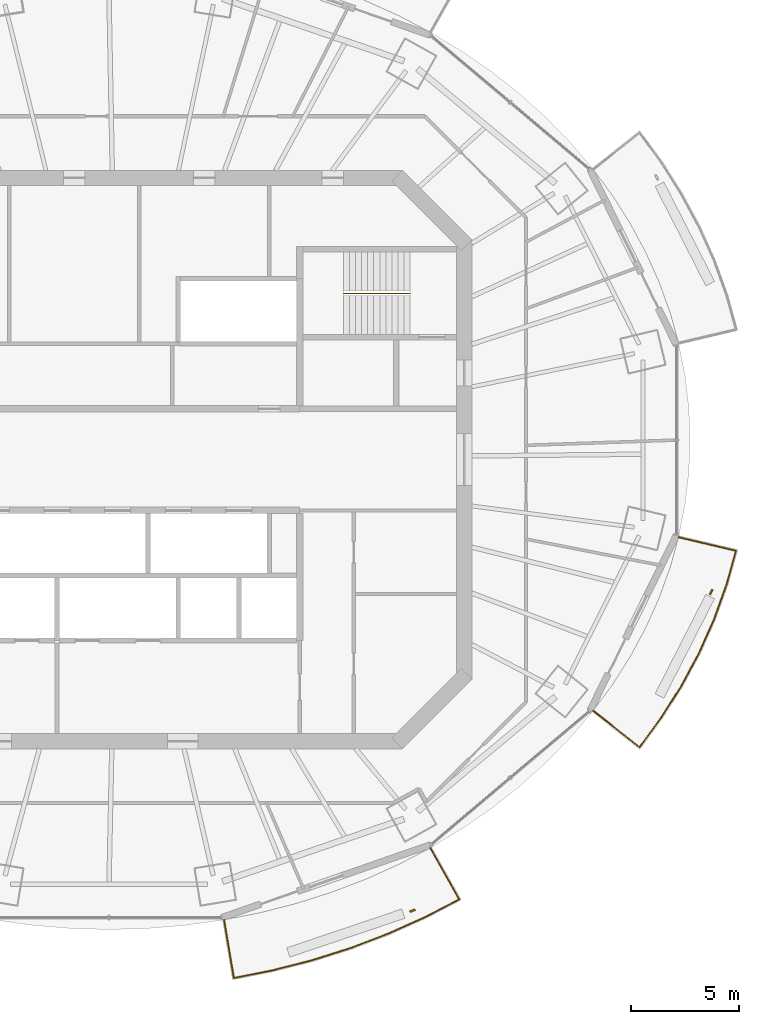
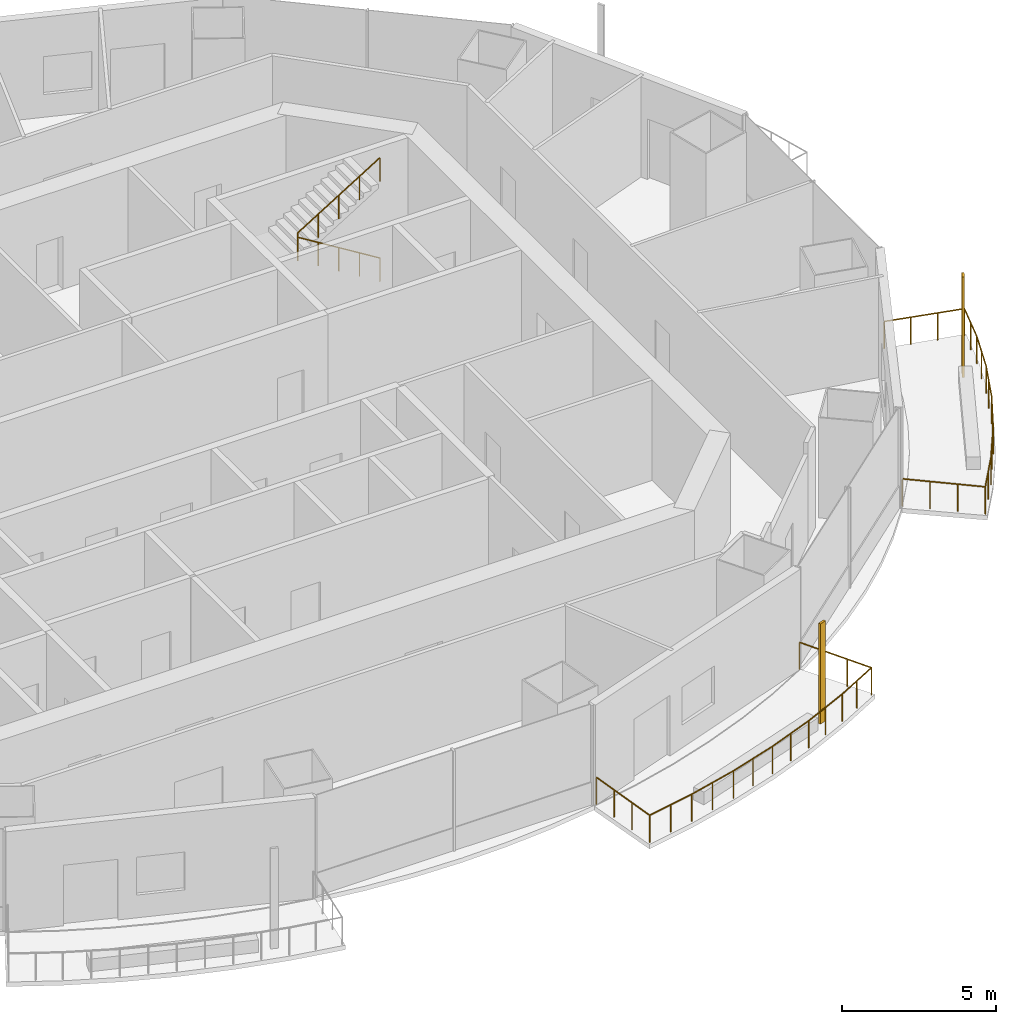
# One storey, part 13 of 16: 3 railings, 2 shading devices.
"""IFC4 building model written with IfcOpenShell, lengths in metres."""

from ifc_helpers import new_model, si_unit, direction, frame, origin, origin_2d, place, context, subcontext, project, spatial, rectangle, circle, extrude, material, material_profile, profile_set, type_object, element, save


model = new_model("IFC4")

# Units and contexts
model_context = context("Model", 3, precision=1e-05, world=origin(), true_north=direction((0.0, 1.0)))
body_context = subcontext(model_context, "Body", "Model", "MODEL_VIEW")
ifc_project = project(units=[si_unit("LENGTHUNIT", "METRE"), si_unit("AREAUNIT", "SQUARE_METRE"), si_unit("VOLUMEUNIT", "CUBIC_METRE"), si_unit("PLANEANGLEUNIT", "RADIAN"), si_unit("MASSUNIT", "GRAM", prefix="KILO")], contexts=[model_context])

# Site, building, storey
site_placement = place(None, origin())
site = spatial("IfcSite", under=ifc_project, at=site_placement, CompositionType="ELEMENT")
building_placement = place(site_placement, origin())
building = spatial("IfcBuilding", under=site, at=building_placement, Name="Marenthal Gate Tower", CompositionType="ELEMENT")
storey_placement = place(building_placement, frame((0.0, 0.0, 355.050048828125)))
storey = spatial("IfcBuildingStorey", under=building, at=storey_placement, Name="L80", CompositionType="ELEMENT", Elevation=355.050048828125)

# Railings
ifc_material_1 = material(Name="Stainless steel", Category="steel")
railing_type_1 = type_object("IfcRailingType", Name="Balcony guard 1100", PredefinedType="GUARDRAIL", material=ifc_material_1)
railing_1_placement = place(storey_placement, frame((14.4345703125, -17.92724609375, 0.0)))
element("IfcRailing", 1, at=railing_1_placement, inside=storey, type_object=railing_type_1, Name="Balcony guard L80 bay 13", PredefinedType="GUARDRAIL", context=body_context, shape_type="SweptSolid", body=[
    extrude(circle(Radius=0.02392578125, at=origin_2d()), frame((0.0, 0.0, 1.076171875), z_axis=(0.490779039991, -0.871159722412, -0.014719781009), x_axis=(0.871254115691, 0.490832217659, 0.0)), (0.0, 0.0, 1.0), 2.719970703125),
    extrude(circle(Radius=0.02392578125, at=origin_2d()), frame((1.3349609375, -2.36962890625, 1.0361328125), z_axis=(-0.886466510694, -0.462792745642, 0.0), x_axis=(0.462792745642, -0.886466510694, 0.0)), (0.0, 0.0, 1.0), 1.76611328125),
    extrude(circle(Radius=0.02392578125, at=origin_2d()), frame((-0.230712890625, -3.18701171875, 1.0361328125), z_axis=(-0.911823143893, -0.410583187992, 0.0), x_axis=(0.410583187992, -0.911823143893, 0.0)), (0.0, 0.0, 1.0), 1.858154296875),
    extrude(circle(Radius=0.02392578125, at=origin_2d()), frame((-1.925048828125, -3.949951171875, 1.0361328125), z_axis=(-0.934241329818, -0.35664146935, 0.0), x_axis=(0.35664146935, -0.934241329818, 0.0)), (0.0, 0.0, 1.0), 1.86962890625),
    extrude(circle(Radius=0.02392578125, at=origin_2d()), frame((-3.671630859375, -4.61669921875, 1.0361328125), z_axis=(-0.953244331297, -0.302200669837, 0.0), x_axis=(0.302200669837, -0.953244331297, 0.0)), (0.0, 0.0, 1.0), 1.879150390625),
    extrude(circle(Radius=0.02392578125, at=origin_2d()), frame((-5.462890625, -5.1845703125, 1.0361328125), z_axis=(-0.968851065423, -0.247644125772, 0.0), x_axis=(0.247644125772, -0.968851065423, 0.0)), (0.0, 0.0, 1.0), 1.887939453125),
    extrude(circle(Radius=0.02392578125, at=origin_2d()), frame((-7.2919921875, -5.652099609375, 1.0361328125), z_axis=(-0.98102320938, -0.193890336678, 0.0), x_axis=(0.193890336678, -0.98102320938, 0.0)), (0.0, 0.0, 1.0), 1.814453125),
    extrude(circle(Radius=0.02392578125, at=origin_2d()), frame((-9.072021484375, -6.00390625, 1.0361328125), z_axis=(-0.165399817941, 0.986116765891, 0.014718160685), x_axis=(-0.986223591651, -0.165417735658, 0.0)), (0.0, 0.0, 1.0), 2.720458984375),
    extrude(circle(Radius=0.02099609375, at=origin_2d()), origin(), (0.0, 0.0, 1.0), 1.052001953125),
    extrude(circle(Radius=0.02099609375, at=origin_2d()), frame((0.445068359375, -0.789794921875, -0.013427734375)), (0.0, 0.0, 1.0), 1.052001953125),
    extrude(circle(Radius=0.02099609375, at=origin_2d()), frame((0.889892578125, -1.579833984375, -0.026611328125)), (0.0, 0.0, 1.0), 1.052001953125),
    extrude(circle(Radius=0.02099609375, at=origin_2d()), frame((1.3349609375, -2.36962890625, -0.0400390625)), (0.0, 0.0, 1.0), 1.052001953125),
    extrude(circle(Radius=0.02099609375, at=origin_2d()), frame((0.55224609375, -2.7783203125, -0.0400390625)), (0.0, 0.0, 1.0), 1.052001953125),
    extrude(circle(Radius=0.02099609375, at=origin_2d()), frame((-0.230712890625, -3.18701171875, -0.0400390625)), (0.0, 0.0, 1.0), 1.052001953125),
    extrude(circle(Radius=0.02099609375, at=origin_2d()), frame((-1.077880859375, -3.568359375, -0.0400390625)), (0.0, 0.0, 1.0), 1.052001953125),
    extrude(circle(Radius=0.02099609375, at=origin_2d()), frame((-1.925048828125, -3.949951171875, -0.0400390625)), (0.0, 0.0, 1.0), 1.052001953125),
    extrude(circle(Radius=0.02099609375, at=origin_2d()), frame((-2.79833984375, -4.283203125, -0.0400390625)), (0.0, 0.0, 1.0), 1.052001953125),
    extrude(circle(Radius=0.02099609375, at=origin_2d()), frame((-3.671630859375, -4.61669921875, -0.0400390625)), (0.0, 0.0, 1.0), 1.052001953125),
    extrude(circle(Radius=0.02099609375, at=origin_2d()), frame((-4.5673828125, -4.900634765625, -0.0400390625)), (0.0, 0.0, 1.0), 1.052001953125),
    extrude(circle(Radius=0.02099609375, at=origin_2d()), frame((-5.462890625, -5.1845703125, -0.0400390625)), (0.0, 0.0, 1.0), 1.052001953125),
    extrude(circle(Radius=0.02099609375, at=origin_2d()), frame((-6.37744140625, -5.41845703125, -0.0400390625)), (0.0, 0.0, 1.0), 1.052001953125),
    extrude(circle(Radius=0.02099609375, at=origin_2d()), frame((-7.2919921875, -5.652099609375, -0.0400390625)), (0.0, 0.0, 1.0), 1.052001953125),
    extrude(circle(Radius=0.02099609375, at=origin_2d()), frame((-8.18212890625, -5.828125, -0.0400390625)), (0.0, 0.0, 1.0), 1.052001953125),
    extrude(circle(Radius=0.02099609375, at=origin_2d()), frame((-9.072021484375, -6.00390625, -0.0400390625)), (0.0, 0.0, 1.0), 1.052001953125),
    extrude(circle(Radius=0.02099609375, at=origin_2d()), frame((-9.221923828125, -5.109619140625, -0.026611328125)), (0.0, 0.0, 1.0), 1.052001953125),
    extrude(circle(Radius=0.02099609375, at=origin_2d()), frame((-9.3720703125, -4.215576171875, -0.013427734375)), (0.0, 0.0, 1.0), 1.052001953125),
    extrude(circle(Radius=0.02099609375, at=origin_2d()), frame((-9.52197265625, -3.3212890625, 0.0)), (0.0, 0.0, 1.0), 1.052001953125),
])
railing_2_placement = place(storey_placement, frame((25.89306640625, -3.586181640625, 0.0)))
element("IfcRailing", 2, at=railing_2_placement, inside=storey, type_object=railing_type_1, Name="Balcony guard L80 bay 15", PredefinedType="GUARDRAIL", context=body_context, shape_type="SweptSolid", body=[
    extrude(circle(Radius=0.02392578125, at=origin_2d()), frame((0.0, 0.0, 1.076171875), z_axis=(0.973182110168, -0.229564721303, -0.014717988387), x_axis=(0.229589589404, 0.973287532252, 0.0)), (0.0, 0.0, 1.0), 2.720458984375),
    extrude(circle(Radius=0.02392578125, at=origin_2d()), frame((2.6474609375, -0.62451171875, 1.0361328125), z_axis=(-0.268568220157, -0.963260666238, 0.0), x_axis=(0.963260666238, -0.268568220157, 0.0)), (0.0, 0.0, 1.0), 1.620849609375),
    extrude(circle(Radius=0.02392578125, at=origin_2d()), frame((2.212158203125, -2.185791015625, 1.0361328125), z_axis=(-0.338780209169, -0.940865542931, 0.0), x_axis=(0.940865542931, -0.338780209169, 0.0)), (0.0, 0.0, 1.0), 1.7080078125),
    extrude(circle(Radius=0.02392578125, at=origin_2d()), frame((1.633544921875, -3.792724609375, 1.0361328125), z_axis=(-0.40799807197, -0.912982789142, 0.0), x_axis=(0.912982789142, -0.40799807197, 0.0)), (0.0, 0.0, 1.0), 1.716796875),
    extrude(circle(Radius=0.02392578125, at=origin_2d()), frame((0.93310546875, -5.360107421875, 1.0361328125), z_axis=(-0.473593920811, -0.880743321389, 0.0), x_axis=(0.880743321389, -0.473593920811, 0.0)), (0.0, 0.0, 1.0), 1.72705078125),
    extrude(circle(Radius=0.02392578125, at=origin_2d()), frame((0.115234375, -6.881103515625, 1.0361328125), z_axis=(-0.535757035565, -0.84437219213, 0.0), x_axis=(0.84437219213, -0.535757035565, 0.0)), (0.0, 0.0, 1.0), 1.738037109375),
    extrude(circle(Radius=0.02392578125, at=origin_2d()), frame((-0.81591796875, -8.3486328125, 1.0361328125), z_axis=(-0.592560650715, -0.805525837714, 0.0), x_axis=(0.805525837714, -0.592560650715, 0.0)), (0.0, 0.0, 1.0), 1.670166015625),
    extrude(circle(Radius=0.02392578125, at=origin_2d()), frame((-1.8056640625, -9.694091796875, 1.0361328125), z_axis=(-0.783691471993, 0.620975869757, 0.014718896176), x_axis=(-0.621043146628, -0.783776377563, 0.0)), (0.0, 0.0, 1.0), 2.72021484375),
    extrude(circle(Radius=0.02099609375, at=origin_2d()), origin(), (0.0, 0.0, 1.0), 1.052001953125),
    extrude(circle(Radius=0.02099609375, at=origin_2d()), frame((0.882568359375, -0.208251953125, -0.013427734375)), (0.0, 0.0, 1.0), 1.052001953125),
    extrude(circle(Radius=0.02099609375, at=origin_2d()), frame((1.764892578125, -0.416259765625, -0.026611328125)), (0.0, 0.0, 1.0), 1.052001953125),
    extrude(circle(Radius=0.02099609375, at=origin_2d()), frame((2.6474609375, -0.62451171875, -0.0400390625)), (0.0, 0.0, 1.0), 1.052001953125),
    extrude(circle(Radius=0.02099609375, at=origin_2d()), frame((2.4296875, -1.4052734375, -0.0400390625)), (0.0, 0.0, 1.0), 1.052001953125),
    extrude(circle(Radius=0.02099609375, at=origin_2d()), frame((2.212158203125, -2.185791015625, -0.0400390625)), (0.0, 0.0, 1.0), 1.052001953125),
    extrude(circle(Radius=0.02099609375, at=origin_2d()), frame((1.9228515625, -2.9892578125, -0.0400390625)), (0.0, 0.0, 1.0), 1.052001953125),
    extrude(circle(Radius=0.02099609375, at=origin_2d()), frame((1.633544921875, -3.792724609375, -0.0400390625)), (0.0, 0.0, 1.0), 1.052001953125),
    extrude(circle(Radius=0.02099609375, at=origin_2d()), frame((1.283203125, -4.576416015625, -0.0400390625)), (0.0, 0.0, 1.0), 1.052001953125),
    extrude(circle(Radius=0.02099609375, at=origin_2d()), frame((0.93310546875, -5.360107421875, -0.0400390625)), (0.0, 0.0, 1.0), 1.052001953125),
    extrude(circle(Radius=0.02099609375, at=origin_2d()), frame((0.524169921875, -6.12060546875, -0.0400390625)), (0.0, 0.0, 1.0), 1.052001953125),
    extrude(circle(Radius=0.02099609375, at=origin_2d()), frame((0.115234375, -6.881103515625, -0.0400390625)), (0.0, 0.0, 1.0), 1.052001953125),
    extrude(circle(Radius=0.02099609375, at=origin_2d()), frame((-0.350341796875, -7.61474609375, -0.0400390625)), (0.0, 0.0, 1.0), 1.052001953125),
    extrude(circle(Radius=0.02099609375, at=origin_2d()), frame((-0.81591796875, -8.3486328125, -0.0400390625)), (0.0, 0.0, 1.0), 1.052001953125),
    extrude(circle(Radius=0.02099609375, at=origin_2d()), frame((-1.310791015625, -9.021484375, -0.0400390625)), (0.0, 0.0, 1.0), 1.052001953125),
    extrude(circle(Radius=0.02099609375, at=origin_2d()), frame((-1.8056640625, -9.694091796875, -0.0400390625)), (0.0, 0.0, 1.0), 1.052001953125),
    extrude(circle(Radius=0.02099609375, at=origin_2d()), frame((-2.516357421875, -9.131103515625, -0.026611328125)), (0.0, 0.0, 1.0), 1.052001953125),
    extrude(circle(Radius=0.02099609375, at=origin_2d()), frame((-3.226806640625, -8.56787109375, -0.013427734375)), (0.0, 0.0, 1.0), 1.052001953125),
    extrude(circle(Radius=0.02099609375, at=origin_2d()), frame((-3.9375, -8.0048828125, 0.0)), (0.0, 0.0, 1.0), 1.052001953125),
])
ifc_material_2 = material(Name="Stainless steel", Category="steel")
railing_type_2 = type_object("IfcRailingType", Name="Stair handrail", PredefinedType="HANDRAIL", material=ifc_material_2)
railing_3_placement = place(storey_placement, frame((13.5, 7.675048828125, 0.1728515625)))
element("IfcRailing", 3, at=railing_3_placement, inside=storey, type_object=railing_type_2, Name="Handrail ST3", PredefinedType="HANDRAIL", context=body_context, shape_type="SweptSolid", body=[
    extrude(circle(Radius=0.0224609375, at=origin_2d()), frame((0.0, 0.0, 0.927490234375), z_axis=(-0.850835241893, 0.0, 0.525432575268), x_axis=(0.0, -1.0, 0.0)), (0.0, 0.0, 1.0), 3.6201171875),
    extrude(circle(Radius=0.0224609375, at=origin_2d()), frame((-3.080078125, 0.0, 2.82958984375), z_axis=(0.0, 0.0, 1.0), x_axis=(1.0, 0.0, 0.0)), (0.0, 0.0, 1.0), 0.1728515625),
    extrude(circle(Radius=0.0224609375, at=origin_2d()), frame((-3.080078125, 0.0, 3.00244140625), z_axis=(0.850835241893, 0.0, 0.525432575268), x_axis=(0.0, 1.0, 0.0)), (0.0, 0.0, 1.0), 3.6201171875),
    extrude(circle(Radius=0.02001953125, at=origin_2d()), origin(), (0.0, 0.0, 1.0), 0.905029296875),
    extrude(circle(Radius=0.02001953125, at=origin_2d()), frame((-0.77001953125, 0.0, 0.4755859375)), (0.0, 0.0, 1.0), 0.905029296875),
    extrude(circle(Radius=0.02001953125, at=origin_2d()), frame((-1.5400390625, 0.0, 0.951171875)), (0.0, 0.0, 1.0), 0.905029296875),
    extrude(circle(Radius=0.02001953125, at=origin_2d()), frame((-2.31005859375, 0.0, 1.426513671875)), (0.0, 0.0, 1.0), 0.905029296875),
    extrude(circle(Radius=0.02001953125, at=origin_2d()), frame((-3.080078125, 0.0, 1.902099609375)), (0.0, 0.0, 1.0), 0.905029296875),
    extrude(circle(Radius=0.02001953125, at=origin_2d()), frame((-3.080078125, 0.0, 2.074951171875)), (0.0, 0.0, 1.0), 0.905029296875),
    extrude(circle(Radius=0.02001953125, at=origin_2d()), frame((-2.31005859375, 0.0, 2.550537109375)), (0.0, 0.0, 1.0), 0.905029296875),
    extrude(circle(Radius=0.02001953125, at=origin_2d()), frame((-1.5400390625, 0.0, 3.02587890625)), (0.0, 0.0, 1.0), 0.905029296875),
    extrude(circle(Radius=0.02001953125, at=origin_2d()), frame((-0.77001953125, 0.0, 3.50146484375)), (0.0, 0.0, 1.0), 0.905029296875),
    extrude(circle(Radius=0.02001953125, at=origin_2d()), frame((0.0, 0.0, 3.97705078125)), (0.0, 0.0, 1.0), 0.905029296875),
])

# Shading devices
ifc_material_3 = material(Name="Terracotta", Category="masonry")
ifc_material_profile = material_profile(ifc_material_3, rectangle(XDim=0.25, YDim=0.080078125, at=origin_2d()), Name="Terracotta baguette 250x80")
ifc_profile_set = profile_set([ifc_material_profile], Name="Terracotta")
shading_device_type = type_object("IfcShadingDeviceType", Name="Terracotta BAGUETTE SCREEN 250x80", PredefinedType="USERDEFINED", material=ifc_profile_set)
for number, where, z_axis, x_axis, name in (
    (4, (13.610595703125, -20.825439453125, -0.0400390625), (0.0, 0.0, 1.0), (0.944152186109, 0.32950971073, 0.0), "Terracotta BAGUETTE L80 bay 13R"),
    (5, (27.395751953125, -6.114990234375, -0.0400390625), (0.0, 0.0, 1.0), (0.441181376026, 0.897417959174, 0.0), "Terracotta BAGUETTE L80 bay 15R"),
):
    element("IfcShadingDevice", number, at=place(storey_placement, frame(where, z_axis=z_axis, x_axis=x_axis)), inside=storey, type_object=shading_device_type, Name=name, ObjectType="BAGUETTE SCREEN", PredefinedType="USERDEFINED", context=body_context, shape_type="SweptSolid", body=[
        extrude(rectangle(XDim=0.25, YDim=0.080078125, at=origin_2d()), origin(), (0.0, 0.0, 1.0), 3.969970703125),
    ])

save(model, "model.ifc")
